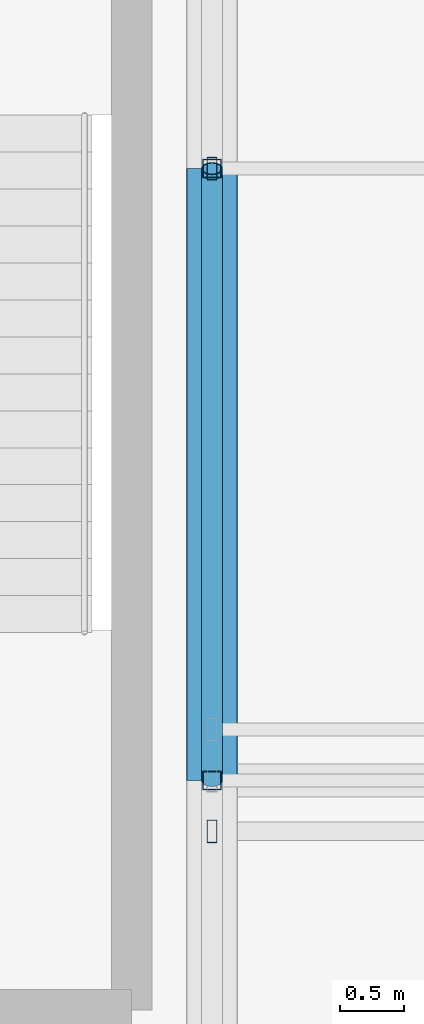
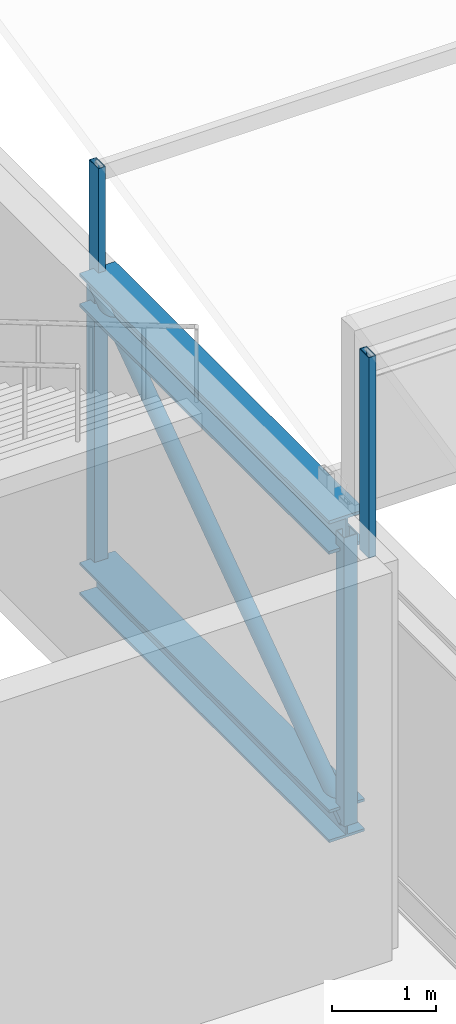
# One storey, part 38 of 136: 5 members, 2 beams.
"""IFC4 building model written with IfcOpenShell, lengths in metres."""

from ifc_helpers import new_model, si_unit, direction, frame, origin, origin_2d, place, context, subcontext, project, spatial, hollow_rectangle, hollow_circle, i_section, extrude, material, material_profile, profile_set, type_object, element, save


model = new_model("IFC4")

# Units and contexts
model_context = context("Model", 3, precision=1e-05, world=origin(), true_north=direction((0.0, 1.0)))
body_context = subcontext(model_context, "Body", "Model", "MODEL_VIEW")
ifc_project = project(units=[si_unit("LENGTHUNIT", "METRE"), si_unit("AREAUNIT", "SQUARE_METRE"), si_unit("VOLUMEUNIT", "CUBIC_METRE"), si_unit("PLANEANGLEUNIT", "RADIAN"), si_unit("MASSUNIT", "GRAM", prefix="KILO")], contexts=[model_context])

# Site, building, storey
site_placement = place(None, origin())
site = spatial("IfcSite", under=ifc_project, at=site_placement, CompositionType="ELEMENT")
building_placement = place(site_placement, origin())
building = spatial("IfcBuilding", under=site, at=building_placement, Name="Kisiwana Market Hall", CompositionType="ELEMENT")
storey_placement = place(building_placement, frame((0.0, 0.0, 16.800048828125)))
storey = spatial("IfcBuildingStorey", under=building, at=storey_placement, Name="L03", CompositionType="ELEMENT", Elevation=16.800048828125)

# Beams
ifc_material_1 = material(Name="Steel S355", Category="steel")
ifc_material_profile_1 = material_profile(ifc_material_1, i_section(OverallWidth=0.394775390625, OverallDepth=0.381103515625, WebThickness=0.018310546875, FlangeThickness=0.0302734375, at=origin_2d()), Name="UC 356x406x235")
ifc_profile_set_1 = profile_set([ifc_material_profile_1], Name="Steel S355")
beam_type_1 = type_object("IfcBeamType", Name="BM-TRUSS-BOT", PredefinedType="USERDEFINED", material=ifc_profile_set_1)
beam_1_placement = place(storey_placement, frame((45.0, 64.800048828125, 0.22998046875), z_axis=(0.0, 1.0, 0.0), x_axis=(-1.0, 0.0, 0.0)))
element("IfcBeam", 1, at=beam_1_placement, inside=storey, type_object=beam_type_1, Name="TR-01 BC panel 7 B-1184", ObjectType="ROOF TRUSS", PredefinedType="USERDEFINED", context=body_context, shape_type="SweptSolid", body=[
    extrude(i_section(OverallWidth=0.394775390625, OverallDepth=0.381103515625, WebThickness=0.018310546875, FlangeThickness=0.0302734375, at=origin_2d()), origin(), (0.0, 0.0, 1.0), 4.800048828125),
])
ifc_material_2 = material(Name="Steel S355", Category="steel")
ifc_material_profile_2 = material_profile(ifc_material_2, i_section(OverallWidth=0.39892578125, OverallDepth=0.3935546875, WebThickness=0.022705078125, FlangeThickness=0.03662109375, at=origin_2d()), Name="UC 356x406x287")
ifc_profile_set_2 = profile_set([ifc_material_profile_2], Name="Steel S355")
beam_type_2 = type_object("IfcBeamType", Name="BM-TRUSS-TOP", PredefinedType="USERDEFINED", material=ifc_profile_set_2)
beam_2_placement = place(storey_placement, frame((45.0, 64.800048828125, 3.619873046875), z_axis=(0.0, 1.0, 0.0), x_axis=(-1.0, 0.0, 0.0)))
element("IfcBeam", 2, at=beam_2_placement, inside=storey, type_object=beam_type_2, Name="TR-01 TC panel 7 B-1194", ObjectType="ROOF TRUSS", PredefinedType="USERDEFINED", context=body_context, shape_type="SweptSolid", body=[
    extrude(i_section(OverallWidth=0.39892578125, OverallDepth=0.3935546875, WebThickness=0.022705078125, FlangeThickness=0.03662109375, at=origin_2d()), origin(), (0.0, 0.0, 1.0), 4.800048828125),
])

# Members
ifc_material_3 = material(Name="Steel S355", Category="steel")
ifc_material_profile_3 = material_profile(ifc_material_3, hollow_rectangle(XDim=0.080078125, YDim=0.179931640625, WallThickness=0.00634765625, at=origin_2d()), Name="RHS 180x80x6.3")
ifc_profile_set_3 = profile_set([ifc_material_profile_3], Name="Steel S355")
member_type_1 = type_object("IfcMemberType", Name="MB-CAN-STRUT", PredefinedType="STRUT", material=ifc_profile_set_3)
member_1_placement = place(storey_placement, frame((45.0, 64.39990234375, 3.619873046875), z_axis=(0.0, 0.0, 1.0), x_axis=(1.0, 0.0, 0.0)))
element("IfcMember", 3, at=member_1_placement, inside=storey, type_object=member_type_1, Name="Sawtooth raker post 244 M-0273", PredefinedType="STRUT", context=body_context, shape_type="SweptSolid", body=[
    extrude(hollow_rectangle(XDim=0.080078125, YDim=0.179931640625, WallThickness=0.00634765625, at=origin_2d()), origin(), (0.0, 0.0, 1.0), 2.355712890625),
])
member_2_placement = place(storey_placement, frame((45.0, 69.60009765625, 3.619873046875), z_axis=(0.0, 0.0, 1.0), x_axis=(1.0, 0.0, 0.0)))
element("IfcMember", 4, at=member_2_placement, inside=storey, type_object=member_type_1, Name="Sawtooth mid-slope raker post 44 M-0075", PredefinedType="STRUT", context=body_context, shape_type="SweptSolid", body=[
    extrude(hollow_rectangle(XDim=0.080078125, YDim=0.179931640625, WallThickness=0.00634765625, at=origin_2d()), origin(), (0.0, 0.0, 1.0), 1.42041015625),
])
ifc_material_4 = material(Name="Steel S355", Category="steel")
ifc_material_profile_4 = material_profile(ifc_material_4, hollow_circle(Radius=0.084228515625, WallThickness=0.010009765625, at=origin_2d()), Name="CHS 168.3x10.0")
ifc_profile_set_4 = profile_set([ifc_material_profile_4], Name="Steel S355")
member_type_2 = type_object("IfcMemberType", Name="MB-TR-DIAG168", PredefinedType="BRACE", material=ifc_profile_set_4)
member_3_placement = place(storey_placement, frame((45.0, 64.800048828125, 0.22998046875), z_axis=(0.0, 0.816837735077, 0.576867501732), x_axis=(-1.0, 0.0, 0.0)))
element("IfcMember", 5, at=member_3_placement, inside=storey, type_object=member_type_2, Name="TR-01 diagonal 7 M-0343", PredefinedType="BRACE", context=body_context, shape_type="SweptSolid", body=[
    extrude(hollow_circle(Radius=0.084228515625, WallThickness=0.010009765625, at=origin_2d()), origin(), (0.0, 0.0, 1.0), 5.87646484375),
])
ifc_material_5 = material(Name="Steel S355", Category="steel")
ifc_material_profile_5 = material_profile(ifc_material_5, hollow_rectangle(XDim=0.14990234375, YDim=0.14990234375, WallThickness=0.008056640625, at=origin_2d()), Name="SHS 150x150x8.0")
ifc_profile_set_5 = profile_set([ifc_material_profile_5], Name="Steel S355")
member_type_3 = type_object("IfcMemberType", Name="MB-TR-STRUT200", PredefinedType="STRUT", material=ifc_profile_set_5)
for number, where, z_axis, x_axis, name in (
    (6, (45.0, 64.800048828125, 0.22998046875), (0.0, 0.0, 1.0), (1.0, 0.0, 0.0), "TR-01 vertical strut 7 M-0351"),
    (7, (45.0, 69.60009765625, 0.22998046875), (0.0, 0.0, 1.0), (1.0, 0.0, 0.0), "TR-01 vertical strut 8 M-0352"),
):
    element("IfcMember", number, at=place(storey_placement, frame(where, z_axis=z_axis, x_axis=x_axis)), inside=storey, type_object=member_type_3, Name=name, PredefinedType="STRUT", context=body_context, shape_type="SweptSolid", body=[
        extrude(hollow_rectangle(XDim=0.14990234375, YDim=0.14990234375, WallThickness=0.008056640625, at=origin_2d()), origin(), (0.0, 0.0, 1.0), 3.389892578125),
    ])

save(model, "model.ifc")
